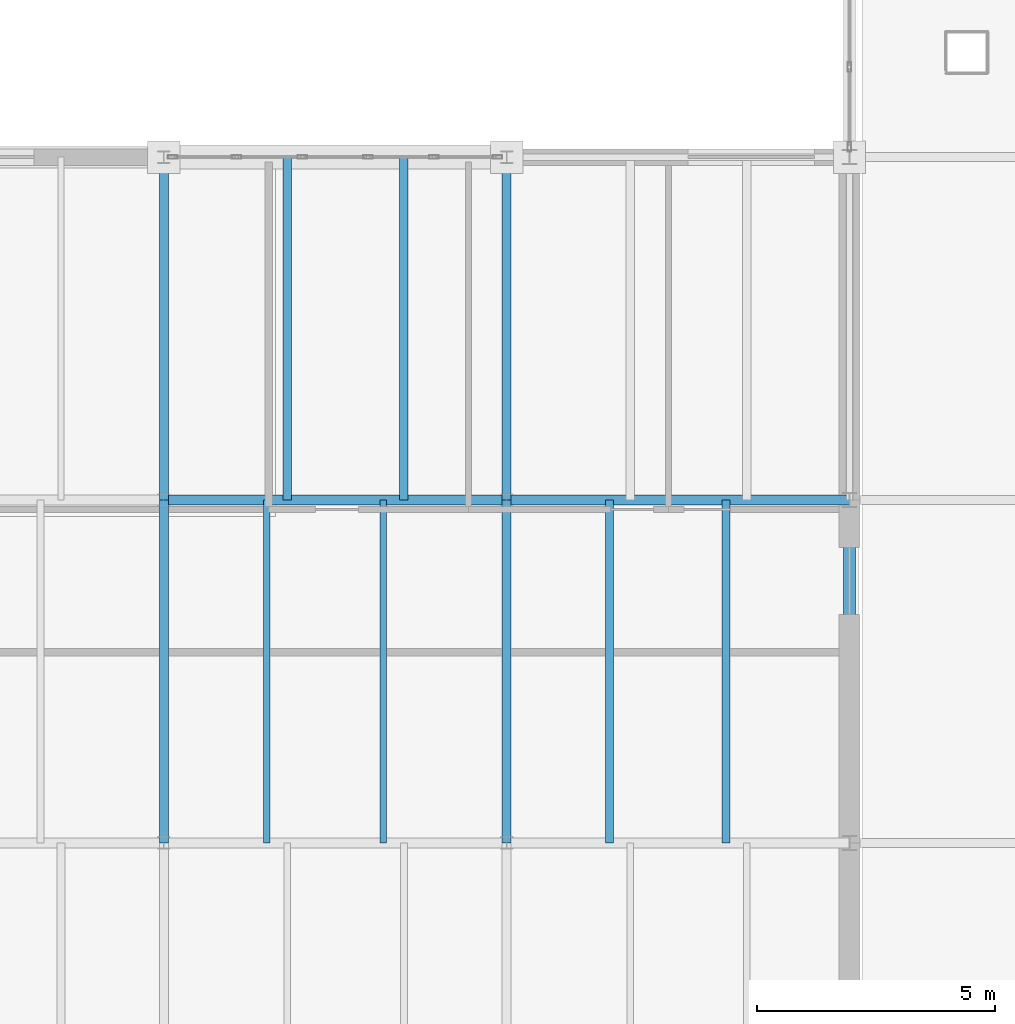
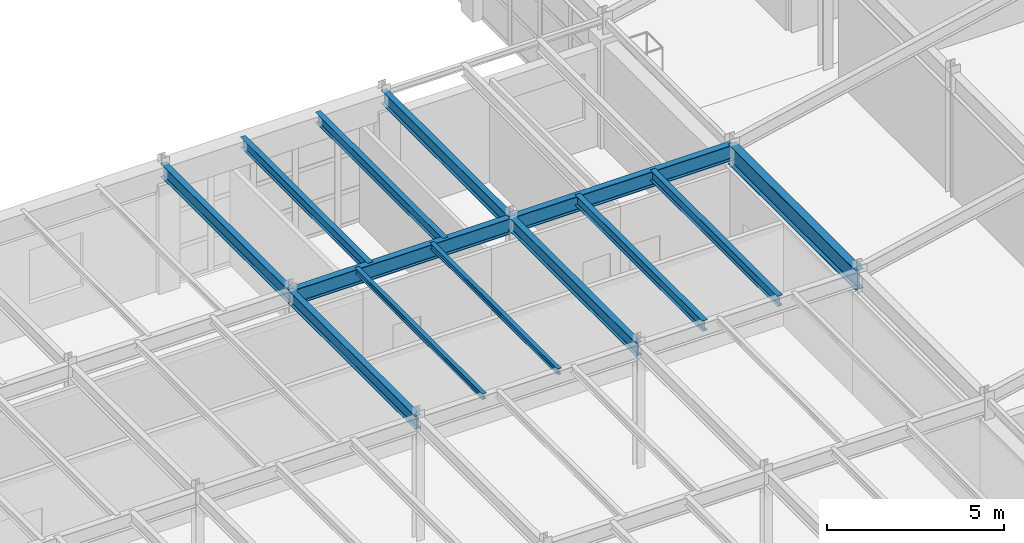
# One storey, part 73 of 137: 13 beams.
"""IFC4 building model written with IfcOpenShell, lengths in metres."""

from ifc_helpers import new_model, si_unit, direction, frame, origin, origin_2d, place, context, subcontext, project, spatial, i_section, extrude, material, material_profile, profile_set, type_object, element, save


model = new_model("IFC4")

# Units and contexts
model_context = context("Model", 3, precision=1e-05, world=origin(), true_north=direction((0.0, 1.0)))
body_context = subcontext(model_context, "Body", "Model", "MODEL_VIEW")
ifc_project = project(units=[si_unit("LENGTHUNIT", "METRE"), si_unit("AREAUNIT", "SQUARE_METRE"), si_unit("VOLUMEUNIT", "CUBIC_METRE"), si_unit("PLANEANGLEUNIT", "RADIAN"), si_unit("MASSUNIT", "GRAM", prefix="KILO")], contexts=[model_context])

# Site, building, storey
site_placement = place(None, origin())
site = spatial("IfcSite", under=ifc_project, at=site_placement, CompositionType="ELEMENT")
building_placement = place(site_placement, origin())
building = spatial("IfcBuilding", under=site, at=building_placement, Name="Kemerveld Promenade Tramway Depot", CompositionType="ELEMENT")
storey_placement = place(building_placement, frame((0.0, 0.0, 5.39990234375)))
storey = spatial("IfcBuildingStorey", under=building, at=storey_placement, Name="L01", CompositionType="ELEMENT", Elevation=5.39990234375)

# Beams
ifc_material = material(Name="Steel S355", Category="steel")
ifc_material_profile_1 = material_profile(ifc_material, i_section(OverallWidth=0.25439453125, OverallDepth=0.6875, WebThickness=0.01318359375, FlangeThickness=0.02099609375, FilletRadius=0.01513671875, at=origin_2d()), Name="686x254x152 UB")
ifc_profile_set_1 = profile_set([ifc_material_profile_1], Name="Steel S355")
beam_type_1 = type_object("IfcBeamType", Name="BM-G03", PredefinedType="BEAM", material=ifc_profile_set_1)
beam_1_placement = place(storey_placement, frame((158.39990234375, 14.39990234375, 3.91650390625), z_axis=(0.0, 1.0, 0.0), x_axis=(-1.0, 0.0, 0.0)))
element("IfcBeam", 1, at=beam_1_placement, inside=storey, type_object=beam_type_1, Name="BMY-L01-23-C-D", PredefinedType="BEAM", context=body_context, shape_type="SweptSolid", body=[
    extrude(i_section(OverallWidth=0.25439453125, OverallDepth=0.6875, WebThickness=0.01318359375, FlangeThickness=0.02099609375, FilletRadius=0.01513671875, at=origin_2d()), origin(), (0.0, 0.0, 1.0), 7.2001953125),
])
ifc_material_profile_2 = material_profile(ifc_material, i_section(OverallWidth=0.2099609375, OverallDepth=0.53662109375, WebThickness=0.0107421875, FlangeThickness=0.017333984375, FilletRadius=0.0126953125, at=origin_2d()), Name="533x210x101 UB")
ifc_profile_set_2 = profile_set([ifc_material_profile_2], Name="Steel S355")
beam_type_2 = type_object("IfcBeamType", Name="BM-G05", PredefinedType="BEAM", material=ifc_profile_set_2)
for number, where, z_axis, x_axis, name in (
    (2, (144.0, 21.60009765625, 3.99169921875), (1.0, 0.0, 0.0), (0.0, 1.0, 0.0), "BMX-L01-21-22-D"),
    (3, (151.199951171875, 21.60009765625, 3.99169921875), (1.0, 0.0, 0.0), (0.0, 1.0, 0.0), "BMX-L01-22-23-D"),
):
    element("IfcBeam", number, at=place(storey_placement, frame(where, z_axis=z_axis, x_axis=x_axis)), inside=storey, type_object=beam_type_2, Name=name, PredefinedType="BEAM", context=body_context, shape_type="SweptSolid", body=[
        extrude(i_section(OverallWidth=0.2099609375, OverallDepth=0.53662109375, WebThickness=0.0107421875, FlangeThickness=0.017333984375, FilletRadius=0.0126953125, at=origin_2d()), origin(), (0.0, 0.0, 1.0), 7.199951171875),
    ])
ifc_material_profile_3 = material_profile(ifc_material, i_section(OverallWidth=0.19140625, OverallDepth=0.4599609375, WebThickness=0.010009765625, FlangeThickness=0.01611328125, FilletRadius=0.01025390625, at=origin_2d()), Name="457x191x82 UB")
ifc_profile_set_3 = profile_set([ifc_material_profile_3], Name="Steel S355")
beam_type_3 = type_object("IfcBeamType", Name="BM-G06", PredefinedType="BEAM", material=ifc_profile_set_3)
beam_2_placement = place(storey_placement, frame((144.0, 14.39990234375, 4.030029296875), z_axis=(0.0, 1.0, 0.0), x_axis=(-1.0, 0.0, 0.0)))
element("IfcBeam", 4, at=beam_2_placement, inside=storey, type_object=beam_type_3, Name="BMY-L01-21-C-D", PredefinedType="BEAM", context=body_context, shape_type="SweptSolid", body=[
    extrude(i_section(OverallWidth=0.19140625, OverallDepth=0.4599609375, WebThickness=0.010009765625, FlangeThickness=0.01611328125, FilletRadius=0.01025390625, at=origin_2d()), origin(), (0.0, 0.0, 1.0), 7.2001953125),
])
beam_3_placement = place(storey_placement, frame((144.0, 21.60009765625, 4.030029296875), z_axis=(0.0, 1.0, 0.0), x_axis=(-1.0, 0.0, 0.0)))
element("IfcBeam", 5, at=beam_3_placement, inside=storey, type_object=beam_type_3, Name="BMY-L01-21-D-E", PredefinedType="BEAM", context=body_context, shape_type="SweptSolid", body=[
    extrude(i_section(OverallWidth=0.19140625, OverallDepth=0.4599609375, WebThickness=0.010009765625, FlangeThickness=0.01611328125, FilletRadius=0.01025390625, at=origin_2d()), origin(), (0.0, 0.0, 1.0), 7.199951171875),
])
beam_4_placement = place(storey_placement, frame((151.199951171875, 14.39990234375, 4.030029296875), z_axis=(0.0, 1.0, 0.0), x_axis=(-1.0, 0.0, 0.0)))
element("IfcBeam", 6, at=beam_4_placement, inside=storey, type_object=beam_type_3, Name="BMY-L01-22-C-D", PredefinedType="BEAM", context=body_context, shape_type="SweptSolid", body=[
    extrude(i_section(OverallWidth=0.19140625, OverallDepth=0.4599609375, WebThickness=0.010009765625, FlangeThickness=0.01611328125, FilletRadius=0.01025390625, at=origin_2d()), origin(), (0.0, 0.0, 1.0), 7.2001953125),
])
beam_5_placement = place(storey_placement, frame((151.199951171875, 21.60009765625, 4.030029296875), z_axis=(0.0, 1.0, 0.0), x_axis=(-1.0, 0.0, 0.0)))
element("IfcBeam", 7, at=beam_5_placement, inside=storey, type_object=beam_type_3, Name="BMY-L01-22-D-E", PredefinedType="BEAM", context=body_context, shape_type="SweptSolid", body=[
    extrude(i_section(OverallWidth=0.19140625, OverallDepth=0.4599609375, WebThickness=0.010009765625, FlangeThickness=0.01611328125, FilletRadius=0.01025390625, at=origin_2d()), origin(), (0.0, 0.0, 1.0), 7.199951171875),
])
ifc_material_profile_4 = material_profile(ifc_material, i_section(OverallWidth=0.13330078125, OverallDepth=0.203125, WebThickness=0.005615234375, FlangeThickness=0.0078125, FilletRadius=0.007568359375, at=origin_2d()), Name="203x133x25 UB")
ifc_profile_set_4 = profile_set([ifc_material_profile_4], Name="Steel S355")
beam_type_4 = type_object("IfcBeamType", Name="BM-J03", PredefinedType="JOIST", material=ifc_profile_set_4)
for number, where, z_axis, x_axis, name in (
    (8, (146.159912109375, 14.39990234375, 4.158447265625), (0.0, 1.0, 0.0), (-1.0, 0.0, 0.0), "JST-L01-21-C-1"),
    (9, (148.60791015625, 14.39990234375, 4.158447265625), (0.0, 1.0, 0.0), (-1.0, 0.0, 0.0), "JST-L01-21-C-2"),
):
    element("IfcBeam", number, at=place(storey_placement, frame(where, z_axis=z_axis, x_axis=x_axis)), inside=storey, type_object=beam_type_4, Name=name, PredefinedType="JOIST", context=body_context, shape_type="SweptSolid", body=[
        extrude(i_section(OverallWidth=0.13330078125, OverallDepth=0.203125, WebThickness=0.005615234375, FlangeThickness=0.0078125, FilletRadius=0.007568359375, at=origin_2d()), origin(), (0.0, 0.0, 1.0), 7.2001953125),
    ])
ifc_material_profile_5 = material_profile(ifc_material, i_section(OverallWidth=0.172119140625, OverallDepth=0.35791015625, WebThickness=0.008056640625, FlangeThickness=0.012939453125, FilletRadius=0.01025390625, at=origin_2d()), Name="356x171x57 UB")
ifc_profile_set_5 = profile_set([ifc_material_profile_5], Name="Steel S355")
beam_type_5 = type_object("IfcBeamType", Name="BM-J04", PredefinedType="JOIST", material=ifc_profile_set_5)
for number, where, z_axis, x_axis, name in (
    (10, (146.592041015625, 21.60009765625, 4.0810546875), (0.0, 1.0, 0.0), (-1.0, 0.0, 0.0), "JST-L01-21-D-1"),
    (11, (149.0400390625, 21.60009765625, 4.0810546875), (0.0, 1.0, 0.0), (-1.0, 0.0, 0.0), "JST-L01-21-D-2"),
):
    element("IfcBeam", number, at=place(storey_placement, frame(where, z_axis=z_axis, x_axis=x_axis)), inside=storey, type_object=beam_type_5, Name=name, PredefinedType="JOIST", context=body_context, shape_type="SweptSolid", body=[
        extrude(i_section(OverallWidth=0.172119140625, OverallDepth=0.35791015625, WebThickness=0.008056640625, FlangeThickness=0.012939453125, FilletRadius=0.01025390625, at=origin_2d()), origin(), (0.0, 0.0, 1.0), 7.199951171875),
    ])
for number, where, z_axis, x_axis, name in (
    (12, (153.360107421875, 14.39990234375, 4.0810546875), (0.0, 1.0, 0.0), (-1.0, 0.0, 0.0), "JST-L01-22-C-1"),
    (13, (155.80810546875, 14.39990234375, 4.0810546875), (0.0, 1.0, 0.0), (-1.0, 0.0, 0.0), "JST-L01-22-C-2"),
):
    element("IfcBeam", number, at=place(storey_placement, frame(where, z_axis=z_axis, x_axis=x_axis)), inside=storey, type_object=beam_type_5, Name=name, PredefinedType="JOIST", context=body_context, shape_type="SweptSolid", body=[
        extrude(i_section(OverallWidth=0.172119140625, OverallDepth=0.35791015625, WebThickness=0.008056640625, FlangeThickness=0.012939453125, FilletRadius=0.01025390625, at=origin_2d()), origin(), (0.0, 0.0, 1.0), 7.2001953125),
    ])

save(model, "model.ifc")
